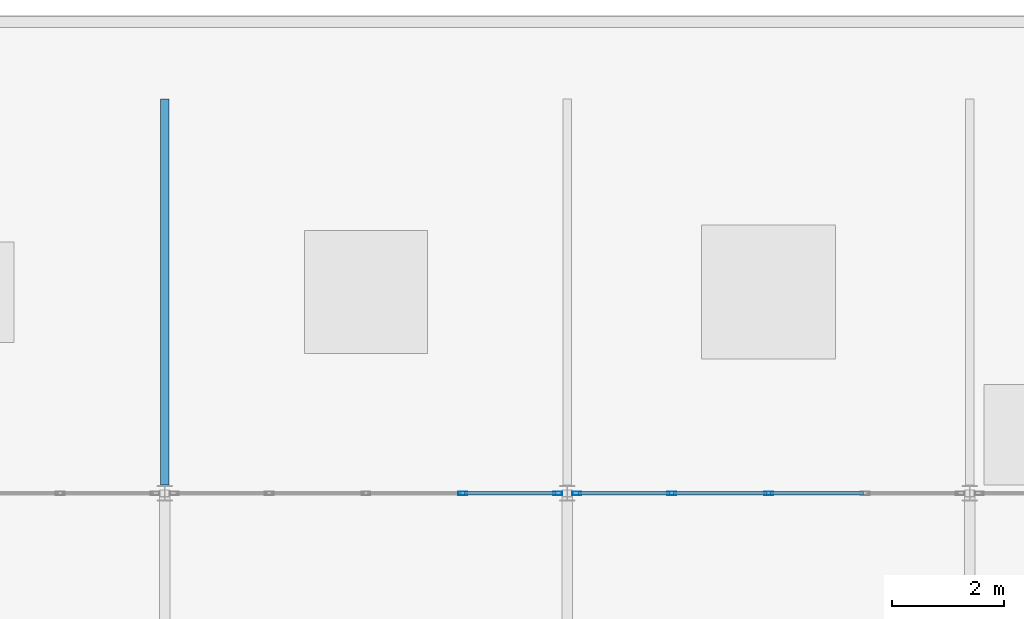
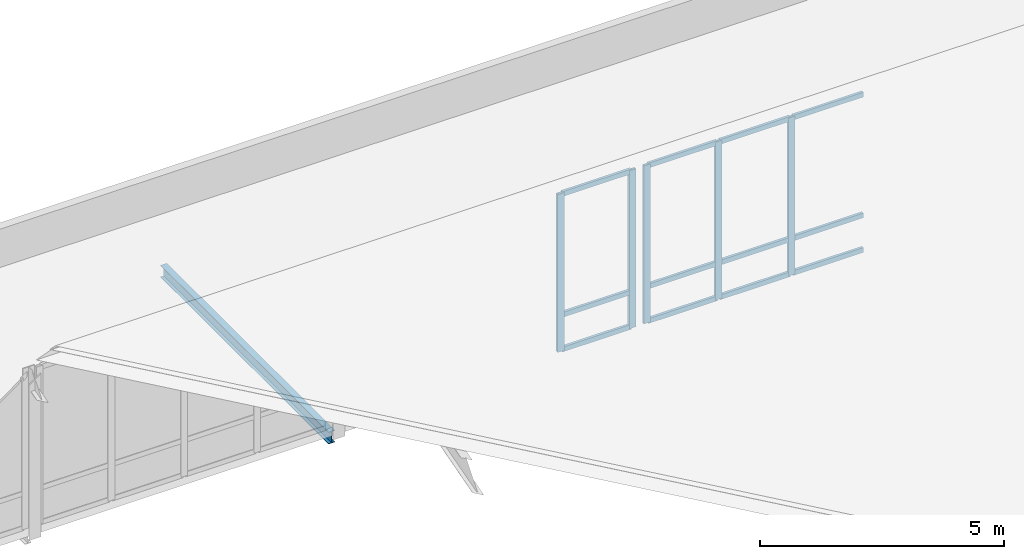
# One storey, part 85 of 157: 17 members, 1 beam, 2 elements without a shape of their own.
"""IFC4 building model written with IfcOpenShell, lengths in metres."""

from ifc_helpers import new_model, si_unit, direction, frame, origin, origin_2d, place, context, subcontext, project, spatial, hollow_rectangle, i_section, extrude, material, material_profile, profile_set, type_object, element, aggregate, save


model = new_model("IFC4")

# Units and contexts
model_context = context("Model", 3, precision=1e-05, world=origin(), true_north=direction((0.0, 1.0)))
body_context = subcontext(model_context, "Body", "Model", "MODEL_VIEW")
ifc_project = project(units=[si_unit("LENGTHUNIT", "METRE"), si_unit("AREAUNIT", "SQUARE_METRE"), si_unit("VOLUMEUNIT", "CUBIC_METRE"), si_unit("PLANEANGLEUNIT", "RADIAN"), si_unit("MASSUNIT", "GRAM", prefix="KILO")], contexts=[model_context])

# Site, building, storey
site_placement = place(None, origin())
site = spatial("IfcSite", under=ifc_project, at=site_placement, CompositionType="ELEMENT")
building_placement = place(site_placement, origin())
building = spatial("IfcBuilding", under=site, at=building_placement, Name="Suanplinth Sawtooth Commons", CompositionType="ELEMENT")
storey_placement = place(building_placement, frame((0.0, 0.0, 9.0)))
storey = spatial("IfcBuildingStorey", under=building, at=storey_placement, Name="L02", CompositionType="ELEMENT", Elevation=9.0)

# Beam
ifc_material_1 = material(Name="Steel S355JR", Category="steel")
ifc_material_profile_1 = material_profile(ifc_material_1, i_section(OverallWidth=0.14990234375, OverallDepth=0.300048828125, WebThickness=0.007080078125, FlangeThickness=0.0107421875, at=origin_2d()), Name="IPE 300")
ifc_profile_set_1 = profile_set([ifc_material_profile_1], Name="Steel S355JR")
beam_type = type_object("IfcBeamType", Name="B-13", PredefinedType="BEAM", material=ifc_profile_set_1)
beam_placement = place(storey_placement, frame((151.199951171875, 64.949951171875, -0.14990234375), z_axis=(0.0, 1.0, 0.0), x_axis=(-1.0, 0.0, 0.0)))
element("IfcBeam", 1, at=beam_placement, inside=storey, type_object=beam_type, Name="BMY-L02-NURS-FLAT-21", PredefinedType="BEAM", context=body_context, shape_type="SweptSolid", body=[
    extrude(i_section(OverallWidth=0.14990234375, OverallDepth=0.300048828125, WebThickness=0.007080078125, FlangeThickness=0.0107421875, at=origin_2d()), origin(), (0.0, 0.0, 1.0), 6.900146484375),
])

# Curtain wall, members
ifc_material_2 = material(Name="Anodized aluminium and low-E glazing", Category="aluminium")
curtain_wall_type = type_object("IfcCurtainWallType", Name="CW-03", PredefinedType="USERDEFINED", material=ifc_material_2)
curtain_wall_1_placement = place(storey_placement, origin())
curtain_wall_1 = element("IfcCurtainWall", 2, at=curtain_wall_1_placement, inside=storey, type_object=curtain_wall_type, Name="Curtain Wall CW-NURS-CLER-21", ObjectType="CURTAIN WALL", PredefinedType="USERDEFINED")
ifc_material_3 = material(Name="Anodized aluminium 6063-T6", Category="aluminium")
ifc_material_profile_2 = material_profile(ifc_material_3, hollow_rectangle(XDim=0.06494140625, YDim=0.159912109375, WallThickness=0.00390625, at=origin_2d()), Name="ALU-MUL 65x160")
ifc_profile_set_2 = profile_set([ifc_material_profile_2], Name="Anodized aluminium 6063-T6")
member_type_1 = type_object("IfcMemberType", Name="M-13", PredefinedType="MULLION", material=ifc_profile_set_2)
member_1_placement = place(storey_placement, frame((156.530029296875, 64.800048828125, 0.239990234375), z_axis=(0.0, 0.0, 1.0), x_axis=(0.0, 1.0, 0.0)))
member_1 = element("IfcMember", 3, at=member_1_placement, type_object=member_type_1, Name="CW-03 mullion 4", PredefinedType="MULLION", context=body_context, shape_type="SweptSolid", body=[
    extrude(hollow_rectangle(XDim=0.06494140625, YDim=0.159912109375, WallThickness=0.00390625, at=origin_2d()), origin(), (0.0, 0.0, 1.0), 3.9599609375),
])
member_2_placement = place(storey_placement, frame((158.2275390625, 64.800048828125, 0.239990234375), z_axis=(0.0, 0.0, 1.0), x_axis=(0.0, 1.0, 0.0)))
member_2 = element("IfcMember", 4, at=member_2_placement, type_object=member_type_1, Name="CW-03 mullion 5", PredefinedType="MULLION", context=body_context, shape_type="SweptSolid", body=[
    extrude(hollow_rectangle(XDim=0.06494140625, YDim=0.159912109375, WallThickness=0.00390625, at=origin_2d()), origin(), (0.0, 0.0, 1.0), 3.9599609375),
])

curtain_wall_2_placement = place(storey_placement, origin())
curtain_wall_2 = element("IfcCurtainWall", 5, at=curtain_wall_2_placement, inside=storey, type_object=curtain_wall_type, Name="Curtain Wall CW-NURS-CLER-22", ObjectType="CURTAIN WALL", PredefinedType="USERDEFINED")
member_3_placement = place(storey_placement, frame((158.572509765625, 64.800048828125, 0.239990234375), z_axis=(0.0, 0.0, 1.0), x_axis=(0.0, 1.0, 0.0)))
member_3 = element("IfcMember", 6, at=member_3_placement, type_object=member_type_1, Name="CW-03 mullion 1", PredefinedType="MULLION", context=body_context, shape_type="SweptSolid", body=[
    extrude(hollow_rectangle(XDim=0.06494140625, YDim=0.159912109375, WallThickness=0.00390625, at=origin_2d()), origin(), (0.0, 0.0, 1.0), 3.9599609375),
])
member_4_placement = place(storey_placement, frame((160.27001953125, 64.800048828125, 0.239990234375), z_axis=(0.0, 0.0, 1.0), x_axis=(0.0, 1.0, 0.0)))
member_4 = element("IfcMember", 7, at=member_4_placement, type_object=member_type_1, Name="CW-03 mullion 2", PredefinedType="MULLION", context=body_context, shape_type="SweptSolid", body=[
    extrude(hollow_rectangle(XDim=0.06494140625, YDim=0.159912109375, WallThickness=0.00390625, at=origin_2d()), origin(), (0.0, 0.0, 1.0), 3.9599609375),
])
member_5_placement = place(storey_placement, frame((162.0, 64.800048828125, 0.239990234375), z_axis=(0.0, 0.0, 1.0), x_axis=(0.0, 1.0, 0.0)))
member_5 = element("IfcMember", 8, at=member_5_placement, type_object=member_type_1, Name="CW-03 mullion 3", PredefinedType="MULLION", context=body_context, shape_type="SweptSolid", body=[
    extrude(hollow_rectangle(XDim=0.06494140625, YDim=0.159912109375, WallThickness=0.00390625, at=origin_2d()), origin(), (0.0, 0.0, 1.0), 3.9599609375),
])

# Member
ifc_material_profile_3 = material_profile(ifc_material_3, hollow_rectangle(XDim=0.06494140625, YDim=0.1201171875, WallThickness=0.00390625, at=origin_2d()), Name="ALU-TRN 65x120")
ifc_profile_set_3 = profile_set([ifc_material_profile_3], Name="Anodized aluminium 6063-T6")
member_type_2 = type_object("IfcMemberType", Name="M-15", PredefinedType="USERDEFINED", material=ifc_profile_set_3)
member_6_placement = place(storey_placement, frame((156.5625, 64.800048828125, 0.2724609375), z_axis=(1.0, 0.0, 0.0), x_axis=(0.0, 1.0, 0.0)))
member_6 = element("IfcMember", 9, at=member_6_placement, type_object=member_type_2, Name="CW-03 transom 4.1", ObjectType="TRANSOM", PredefinedType="USERDEFINED", context=body_context, shape_type="SweptSolid", body=[
    extrude(hollow_rectangle(XDim=0.06494140625, YDim=0.1201171875, WallThickness=0.00390625, at=origin_2d()), origin(), (0.0, 0.0, 1.0), 1.632568359375),
])

member_7_placement = place(storey_placement, frame((156.5625, 64.800048828125, 1.139892578125), z_axis=(1.0, 0.0, 0.0), x_axis=(0.0, 1.0, 0.0)))
member_7 = element("IfcMember", 10, at=member_7_placement, type_object=member_type_2, Name="CW-03 transom 4.2", ObjectType="TRANSOM", PredefinedType="USERDEFINED", context=body_context, shape_type="SweptSolid", body=[
    extrude(hollow_rectangle(XDim=0.06494140625, YDim=0.1201171875, WallThickness=0.00390625, at=origin_2d()), origin(), (0.0, 0.0, 1.0), 1.632568359375),
])

member_8_placement = place(storey_placement, frame((156.5625, 64.800048828125, 4.16748046875), z_axis=(1.0, 0.0, 0.0), x_axis=(0.0, 1.0, 0.0)))
member_8 = element("IfcMember", 11, at=member_8_placement, type_object=member_type_2, Name="CW-03 transom 4.3", ObjectType="TRANSOM", PredefinedType="USERDEFINED", context=body_context, shape_type="SweptSolid", body=[
    extrude(hollow_rectangle(XDim=0.06494140625, YDim=0.1201171875, WallThickness=0.00390625, at=origin_2d()), origin(), (0.0, 0.0, 1.0), 1.632568359375),
])

aggregate(curtain_wall_1, [member_1, member_2, member_6, member_7, member_8])

member_9_placement = place(storey_placement, frame((158.60498046875, 64.800048828125, 0.2724609375), z_axis=(1.0, 0.0, 0.0), x_axis=(0.0, 1.0, 0.0)))
member_9 = element("IfcMember", 12, at=member_9_placement, type_object=member_type_2, Name="CW-03 transom 1.1", ObjectType="TRANSOM", PredefinedType="USERDEFINED", context=body_context, shape_type="SweptSolid", body=[
    extrude(hollow_rectangle(XDim=0.06494140625, YDim=0.1201171875, WallThickness=0.00390625, at=origin_2d()), origin(), (0.0, 0.0, 1.0), 1.632568359375),
])

member_10_placement = place(storey_placement, frame((158.60498046875, 64.800048828125, 1.139892578125), z_axis=(1.0, 0.0, 0.0), x_axis=(0.0, 1.0, 0.0)))
member_10 = element("IfcMember", 13, at=member_10_placement, type_object=member_type_2, Name="CW-03 transom 1.2", ObjectType="TRANSOM", PredefinedType="USERDEFINED", context=body_context, shape_type="SweptSolid", body=[
    extrude(hollow_rectangle(XDim=0.06494140625, YDim=0.1201171875, WallThickness=0.00390625, at=origin_2d()), origin(), (0.0, 0.0, 1.0), 1.632568359375),
])

member_11_placement = place(storey_placement, frame((158.60498046875, 64.800048828125, 4.16748046875), z_axis=(1.0, 0.0, 0.0), x_axis=(0.0, 1.0, 0.0)))
member_11 = element("IfcMember", 14, at=member_11_placement, type_object=member_type_2, Name="CW-03 transom 1.3", ObjectType="TRANSOM", PredefinedType="USERDEFINED", context=body_context, shape_type="SweptSolid", body=[
    extrude(hollow_rectangle(XDim=0.06494140625, YDim=0.1201171875, WallThickness=0.00390625, at=origin_2d()), origin(), (0.0, 0.0, 1.0), 1.632568359375),
])

member_12_placement = place(storey_placement, frame((160.302490234375, 64.800048828125, 0.2724609375), z_axis=(1.0, 0.0, 0.0), x_axis=(0.0, 1.0, 0.0)))
member_12 = element("IfcMember", 15, at=member_12_placement, type_object=member_type_2, Name="CW-03 transom 2.1", ObjectType="TRANSOM", PredefinedType="USERDEFINED", context=body_context, shape_type="SweptSolid", body=[
    extrude(hollow_rectangle(XDim=0.06494140625, YDim=0.1201171875, WallThickness=0.00390625, at=origin_2d()), origin(), (0.0, 0.0, 1.0), 1.6650390625),
])

member_13_placement = place(storey_placement, frame((160.302490234375, 64.800048828125, 1.139892578125), z_axis=(1.0, 0.0, 0.0), x_axis=(0.0, 1.0, 0.0)))
member_13 = element("IfcMember", 16, at=member_13_placement, type_object=member_type_2, Name="CW-03 transom 2.2", ObjectType="TRANSOM", PredefinedType="USERDEFINED", context=body_context, shape_type="SweptSolid", body=[
    extrude(hollow_rectangle(XDim=0.06494140625, YDim=0.1201171875, WallThickness=0.00390625, at=origin_2d()), origin(), (0.0, 0.0, 1.0), 1.6650390625),
])

member_14_placement = place(storey_placement, frame((160.302490234375, 64.800048828125, 4.16748046875), z_axis=(1.0, 0.0, 0.0), x_axis=(0.0, 1.0, 0.0)))
member_14 = element("IfcMember", 17, at=member_14_placement, type_object=member_type_2, Name="CW-03 transom 2.3", ObjectType="TRANSOM", PredefinedType="USERDEFINED", context=body_context, shape_type="SweptSolid", body=[
    extrude(hollow_rectangle(XDim=0.06494140625, YDim=0.1201171875, WallThickness=0.00390625, at=origin_2d()), origin(), (0.0, 0.0, 1.0), 1.6650390625),
])

member_15_placement = place(storey_placement, frame((162.032470703125, 64.800048828125, 0.2724609375), z_axis=(1.0, 0.0, 0.0), x_axis=(0.0, 1.0, 0.0)))
member_15 = element("IfcMember", 18, at=member_15_placement, type_object=member_type_2, Name="CW-03 transom 3.1", ObjectType="TRANSOM", PredefinedType="USERDEFINED", context=body_context, shape_type="SweptSolid", body=[
    extrude(hollow_rectangle(XDim=0.06494140625, YDim=0.1201171875, WallThickness=0.00390625, at=origin_2d()), origin(), (0.0, 0.0, 1.0), 1.6650390625),
])

member_16_placement = place(storey_placement, frame((162.032470703125, 64.800048828125, 1.139892578125), z_axis=(1.0, 0.0, 0.0), x_axis=(0.0, 1.0, 0.0)))
member_16 = element("IfcMember", 19, at=member_16_placement, type_object=member_type_2, Name="CW-03 transom 3.2", ObjectType="TRANSOM", PredefinedType="USERDEFINED", context=body_context, shape_type="SweptSolid", body=[
    extrude(hollow_rectangle(XDim=0.06494140625, YDim=0.1201171875, WallThickness=0.00390625, at=origin_2d()), origin(), (0.0, 0.0, 1.0), 1.6650390625),
])

member_17_placement = place(storey_placement, frame((162.032470703125, 64.800048828125, 4.16748046875), z_axis=(1.0, 0.0, 0.0), x_axis=(0.0, 1.0, 0.0)))
member_17 = element("IfcMember", 20, at=member_17_placement, type_object=member_type_2, Name="CW-03 transom 3.3", ObjectType="TRANSOM", PredefinedType="USERDEFINED", context=body_context, shape_type="SweptSolid", body=[
    extrude(hollow_rectangle(XDim=0.06494140625, YDim=0.1201171875, WallThickness=0.00390625, at=origin_2d()), origin(), (0.0, 0.0, 1.0), 1.6650390625),
])

aggregate(curtain_wall_2, [member_3, member_4, member_5, member_9, member_10, member_11, member_12, member_13, member_14, member_15, member_16, member_17])

save(model, "model.ifc")
